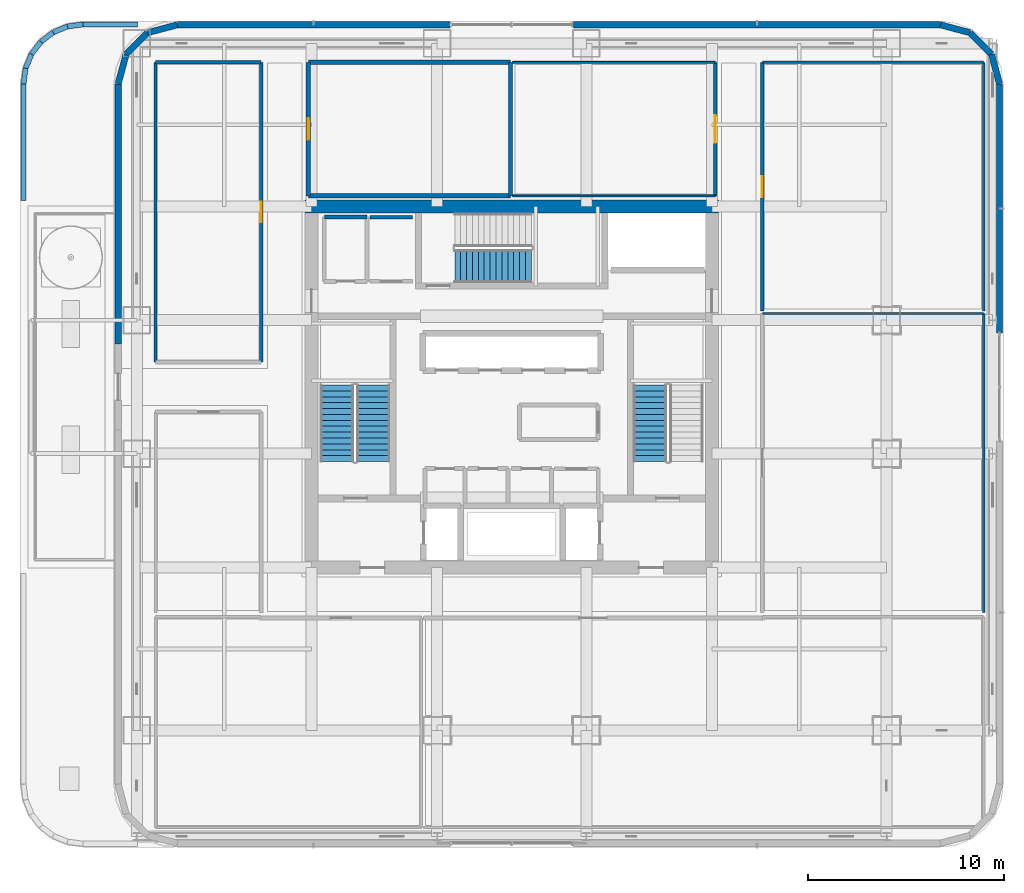
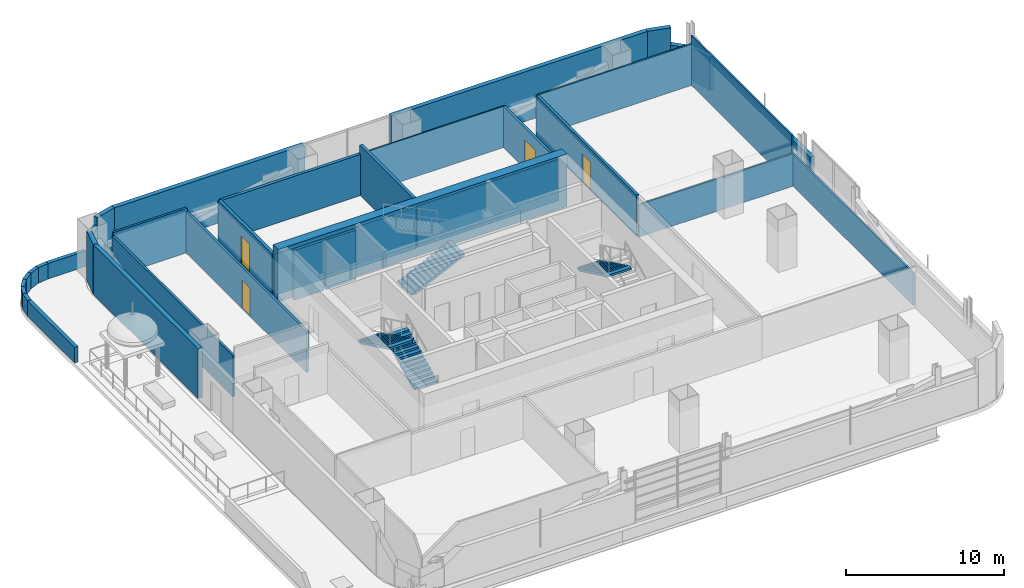
# One storey, part 13 of 27: 36 walls, 4 doors, 4 stair flights, 4 openings, 3 elements without a shape of their own.
"""IFC4 building model written with IfcOpenShell, lengths in metres."""

from ifc_helpers import new_model, si_unit, direction, frame, frame_2d, origin, place, context, subcontext, project, spatial, polyline, rectangle, outline, extrude, material, layer, layer_set, type_object, element, fill, aggregate, save


model = new_model("IFC4")

# Units and contexts
model_context = context("Model", 3, precision=1e-05, world=origin(), true_north=direction((0.0, 1.0)))
body_context = subcontext(model_context, "Body", "Model", "MODEL_VIEW")
ifc_project = project(units=[si_unit("LENGTHUNIT", "METRE"), si_unit("AREAUNIT", "SQUARE_METRE"), si_unit("VOLUMEUNIT", "CUBIC_METRE"), si_unit("PLANEANGLEUNIT", "RADIAN"), si_unit("MASSUNIT", "GRAM", prefix="KILO")], contexts=[model_context])

# Site, building, storey
site_placement = place(None, origin())
site = spatial("IfcSite", under=ifc_project, at=site_placement, CompositionType="ELEMENT")
building_placement = place(site_placement, origin())
building = spatial("IfcBuilding", under=site, at=building_placement, Name="Punatoya Terracotta Tower", CompositionType="ELEMENT")
storey_placement = place(building_placement, frame((0.0, 0.0, 204.60009765625)))
storey = spatial("IfcBuildingStorey", under=building, at=storey_placement, Name="L48", CompositionType="ELEMENT", Elevation=204.60009765625)

# Walls
ifc_material_1 = material(Name="Concrete C60/75", Category="concrete")
ifc_layer_1 = layer(ifc_material_1, 0.64990234375)
ifc_layer_set_1 = layer_set([ifc_layer_1], Name="Concrete C60/75")
wall_type_1 = type_object("IfcWallType", Name="WL-COR-650", PredefinedType="SHEAR", material=ifc_layer_set_1)
wall_1_placement = place(storey_placement, frame((-10.52490234375, 9.199951171875, 0.0), z_axis=(0.0, 0.0, 1.0), x_axis=(1.0, 0.0, 0.0)))
element("IfcWall", 1, at=wall_1_placement, inside=storey, type_object=wall_type_1, Name="L48 Core Shear Wall N", PredefinedType="SHEAR", context=body_context, shape_type="SweptSolid", body=[
    extrude(rectangle(XDim=21.0498046875, YDim=0.64990234375, at=frame_2d((10.52490234375, 0.0))), origin(), (0.0, 0.0, 1.0), 4.0498046875),
])
ifc_material_2 = material(Name="Gypsum Fireboard + Steel Stud", Category="steel")
ifc_layer_2 = layer(ifc_material_2, 0.179931640625)
ifc_layer_set_2 = layer_set([ifc_layer_2], Name="Gypsum Fireboard + Steel Stud")
wall_type_2 = type_object("IfcWallType", Name="WL-CORR-180", PredefinedType="PARTITIONING", material=ifc_layer_set_2)
wall_2_placement = place(storey_placement, frame((-5.050048828125, 8.64990234375, 0.0), z_axis=(0.0, 0.0, 1.0), x_axis=(-1.0, 0.0, 0.0)))
element("IfcWall", 2, at=wall_2_placement, inside=storey, type_object=wall_type_2, Name="L48 West Core Print Room Partition 18", PredefinedType="PARTITIONING", context=body_context, shape_type="SweptSolid", body=[
    extrude(rectangle(XDim=2.169921875, YDim=0.179931640625, at=frame_2d((1.0849609375, 0.0))), origin(), (0.0, 0.0, 1.0), 3.829833984375),
])

# Wall, opening, door
wall_3_placement = place(storey_placement, frame((-12.77001953125, 16.5400390625, 0.0), z_axis=(0.0, 0.0, 1.0), x_axis=(0.0, -1.0, 0.0)))
wall_3 = element("IfcWall", 3, at=wall_3_placement, inside=storey, type_object=wall_type_2, Name="L48 Hospitality Tea Pantry Partition 35", PredefinedType="PARTITIONING", context=body_context, shape_type="SweptSolid", body=[
    extrude(rectangle(XDim=15.27001953125, YDim=0.179931640625, at=frame_2d((7.635009765625, 0.0))), origin(), (0.0, 0.0, 1.0), 3.173828125),
])
opening_1_placement = place(wall_3_placement, frame((7.110107421875, 0.0, 0.0)))
opening_1 = element("IfcOpeningElement", 4, at=opening_1_placement, cuts=wall_3, Name="Opening OD-01", PredefinedType="OPENING", context=body_context, shape_type="SweptSolid", body=[
    extrude(rectangle(XDim=1.050048828125, YDim=2.199951171875, at=frame_2d((0.52490234375, 1.10009765625))), frame((0.0, 0.099853515625, 0.0), z_axis=(0.0, -1.0, 0.0), x_axis=(1.0, 0.0, 0.0)), (0.0, 0.0, 1.0), 0.199951171875),
])
ifc_material_3 = material(Name="Bengal Teak Solid-Core Leaf")
door_type_1 = type_object("IfcDoorType", Name="DR-OFF-1050", OperationType="NOTDEFINED", PredefinedType="DOOR", material=ifc_material_3)
door_1_placement = place(opening_1_placement, origin())
door_1 = element("IfcDoor", 5, at=door_1_placement, inside=storey, type_object=door_type_1, Name="L48 Hospitality Tea Pantry Door", OperationType="SINGLE_SWING_LEFT", OverallHeight=2.199951171875, OverallWidth=1.050048828125, PredefinedType="DOOR", context=body_context, shape_type="SweptSolid", body=[
    extrude(rectangle(XDim=1.050048828125, YDim=2.199951171875, at=frame_2d((0.52490234375, 1.10009765625))), frame((0.0, 0.02490234375, 0.0), z_axis=(0.0, -1.0, 0.0), x_axis=(1.0, 0.0, 0.0)), (0.0, 0.0, 1.0), 0.050048828125),
])
fill(opening_1, door_1)

wall_4_placement = place(storey_placement, frame((12.77001953125, 3.860107421875, 0.0), z_axis=(0.0, 0.0, 1.0), x_axis=(0.0, 1.0, 0.0)))
wall_4 = element("IfcWall", 6, at=wall_4_placement, inside=storey, type_object=wall_type_2, Name="L48 Acoustic Wellness Room Partition 41", PredefinedType="PARTITIONING", context=body_context, shape_type="SweptSolid", body=[
    extrude(rectangle(XDim=12.679931640625, YDim=0.179931640625, at=frame_2d((6.33984375, 0.0))), origin(), (0.0, 0.0, 1.0), 3.173828125),
])
opening_2_placement = place(wall_4_placement, frame((5.81494140625, 0.0, 0.0)))
opening_2 = element("IfcOpeningElement", 7, at=opening_2_placement, cuts=wall_4, Name="Opening OD-01", PredefinedType="OPENING", context=body_context, shape_type="SweptSolid", body=[
    extrude(rectangle(XDim=1.050048828125, YDim=2.199951171875, at=frame_2d((0.52490234375, 1.10009765625))), frame((0.0, 0.099853515625, 0.0), z_axis=(0.0, -1.0, 0.0), x_axis=(1.0, 0.0, 0.0)), (0.0, 0.0, 1.0), 0.199951171875),
])
door_2_placement = place(opening_2_placement, origin())
door_2 = element("IfcDoor", 8, at=door_2_placement, inside=storey, type_object=door_type_1, Name="L48 Acoustic Wellness Room Door", OperationType="SINGLE_SWING_RIGHT", OverallHeight=2.199951171875, OverallWidth=1.050048828125, PredefinedType="DOOR", context=body_context, shape_type="SweptSolid", body=[
    extrude(rectangle(XDim=1.050048828125, YDim=2.199951171875, at=frame_2d((0.52490234375, 1.10009765625))), frame((0.0, 0.02490234375, 0.0), z_axis=(0.0, -1.0, 0.0), x_axis=(1.0, 0.0, 0.0)), (0.0, 0.0, 1.0), 0.050048828125),
])
fill(opening_2, door_2)

wall_5_placement = place(storey_placement, frame((10.360107421875, 16.5400390625, 0.0), z_axis=(0.0, 0.0, 1.0), x_axis=(0.0, -1.0, 0.0)))
wall_5 = element("IfcWall", 9, at=wall_5_placement, inside=storey, type_object=wall_type_2, Name="L48 Editorial Conference Room Partition 48", PredefinedType="PARTITIONING", context=body_context, shape_type="SweptSolid", body=[
    extrude(rectangle(XDim=6.800048828125, YDim=0.179931640625, at=frame_2d((3.39990234375, 0.0))), origin(), (0.0, 0.0, 1.0), 3.173828125),
])
opening_3_placement = place(wall_5_placement, frame((2.699951171875, 0.0, 0.0)))
opening_3 = element("IfcOpeningElement", 10, at=opening_3_placement, cuts=wall_5, Name="Opening BD-01", PredefinedType="OPENING", context=body_context, shape_type="SweptSolid", body=[
    extrude(rectangle(XDim=1.39990234375, YDim=2.25, at=frame_2d((0.699951171875, 1.125))), frame((0.0, 0.099853515625, 0.0), z_axis=(0.0, -1.0, 0.0), x_axis=(1.0, 0.0, 0.0)), (0.0, 0.0, 1.0), 0.199951171875),
])
ifc_material_4 = material(Name="Bengal Teak Acoustic Leaf")
door_type_2 = type_object("IfcDoorType", Name="DR-BRD-1400", OperationType="NOTDEFINED", PredefinedType="DOOR", material=ifc_material_4)
door_3_placement = place(opening_3_placement, origin())
door_3 = element("IfcDoor", 11, at=door_3_placement, inside=storey, type_object=door_type_2, Name="L48 Editorial Conference Room Door", OperationType="SINGLE_SWING_RIGHT", OverallHeight=2.25, OverallWidth=1.39990234375, PredefinedType="DOOR", context=body_context, shape_type="SweptSolid", body=[
    extrude(rectangle(XDim=1.39990234375, YDim=2.25, at=frame_2d((0.699951171875, 1.125))), frame((0.0, 0.02490234375, 0.0), z_axis=(0.0, -1.0, 0.0), x_axis=(1.0, 0.0, 0.0)), (0.0, 0.0, 1.0), 0.050048828125),
])
fill(opening_3, door_3)

# Walls
ifc_material_5 = material(Name="Precast concrete C40/50", Category="concrete")
ifc_layer_3 = layer(ifc_material_5, 0.320068359375)
ifc_layer_set_3 = layer_set([ifc_layer_3], Name="Precast concrete C40/50")
wall_type_3 = type_object("IfcWallType", Name="WL-EXT-320", PredefinedType="SOLIDWALL", material=ifc_layer_set_3)
wall_6_placement = place(storey_placement, frame((24.85009765625, 2.75, 0.0), z_axis=(0.0, 0.0, 1.0), x_axis=(0.0, 1.0, 0.0)))
element("IfcWall", 12, at=wall_6_placement, inside=storey, type_object=wall_type_3, Name="L48 Terracotta Braced Facade Wall E2", PredefinedType="SOLIDWALL", context=body_context, shape_type="SweptSolid", body=[
    extrude(rectangle(XDim=12.68701171875, YDim=0.320068359375, at=frame_2d((6.343505859375, 0.0))), origin(), (0.0, 0.0, 1.0), 2.5439453125),
])
wall_7_placement = place(storey_placement, frame((24.85009765625, 15.43701171875, 0.0), z_axis=(0.0, 0.0, 1.0), x_axis=(-0.257847112249, 0.966185730957, 0.0)))
element("IfcWall", 13, at=wall_7_placement, inside=storey, type_object=wall_type_3, Name="L48 Rounded Terracotta Corner Pier 06", PredefinedType="SOLIDWALL", context=body_context, shape_type="SweptSolid", body=[
    extrude(rectangle(XDim=1.565185546875, YDim=0.320068359375, at=frame_2d((0.78271484375, 0.0))), origin(), (0.0, 0.0, 1.0), 2.5439453125),
])
wall_8_placement = place(storey_placement, frame((24.446533203125, 16.94921875, 0.0), z_axis=(0.0, 0.0, 1.0), x_axis=(-0.707106781187, 0.707106781187, 0.0)))
element("IfcWall", 14, at=wall_8_placement, inside=storey, type_object=wall_type_3, Name="L48 Rounded Terracotta Corner Pier 07", PredefinedType="SOLIDWALL", context=body_context, shape_type="SweptSolid", body=[
    extrude(rectangle(XDim=1.552001953125, YDim=0.320068359375, at=frame_2d((0.77587890625, 0.0))), origin(), (0.0, 0.0, 1.0), 2.50390625),
])
wall_9_placement = place(storey_placement, frame((23.34912109375, 18.046630859375, 0.0), z_axis=(0.0, 0.0, 1.0), x_axis=(-0.966224582397, 0.257701486942, 0.0)))
element("IfcWall", 15, at=wall_9_placement, inside=storey, type_object=wall_type_3, Name="L48 Rounded Terracotta Corner Pier 08", PredefinedType="SOLIDWALL", context=body_context, shape_type="SweptSolid", body=[
    extrude(rectangle(XDim=1.565185546875, YDim=0.320068359375, at=frame_2d((0.78271484375, 0.0))), origin(), (0.0, 0.0, 1.0), 3.829833984375),
])
wall_10_placement = place(storey_placement, frame((21.8369140625, 18.449951171875, 0.0), z_axis=(0.0, 0.0, 1.0), x_axis=(-1.0, 0.0, 0.0)))
element("IfcWall", 16, at=wall_10_placement, inside=storey, type_object=wall_type_3, Name="L48 Terracotta Braced Facade Wall N1", PredefinedType="SOLIDWALL", context=body_context, shape_type="SweptSolid", body=[
    extrude(rectangle(XDim=18.68701171875, YDim=0.320068359375, at=frame_2d((9.343505859375, 0.0))), origin(), (0.0, 0.0, 1.0), 3.829833984375),
])
wall_11_placement = place(storey_placement, frame((-3.14990234375, 18.449951171875, 0.0), z_axis=(0.0, 0.0, 1.0), x_axis=(-1.0, 0.0, 0.0)))
element("IfcWall", 17, at=wall_11_placement, inside=storey, type_object=wall_type_3, Name="L48 Terracotta Braced Facade Wall N2", PredefinedType="SOLIDWALL", context=body_context, shape_type="SweptSolid", body=[
    extrude(rectangle(XDim=13.886962890625, YDim=0.320068359375, at=frame_2d((6.943359375, 0.0))), origin(), (0.0, 0.0, 1.0), 3.829833984375),
])
wall_12_placement = place(storey_placement, frame((-17.036865234375, 18.449951171875, 0.0), z_axis=(0.0, 0.0, 1.0), x_axis=(-0.966224582397, -0.257701486942, 0.0)))
element("IfcWall", 18, at=wall_12_placement, inside=storey, type_object=wall_type_3, Name="L48 Rounded Terracotta Corner Pier 10", PredefinedType="SOLIDWALL", context=body_context, shape_type="SweptSolid", body=[
    extrude(rectangle(XDim=1.565185546875, YDim=0.320068359375, at=frame_2d((0.78271484375, 0.0))), origin(), (0.0, 0.0, 1.0), 3.829833984375),
])
wall_13_placement = place(storey_placement, frame((-18.549072265625, 18.046630859375, 0.0), z_axis=(0.0, 0.0, 1.0), x_axis=(-0.707106781187, -0.707106781187, 0.0)))
element("IfcWall", 19, at=wall_13_placement, inside=storey, type_object=wall_type_3, Name="L48 Rounded Terracotta Corner Pier 11", PredefinedType="SOLIDWALL", context=body_context, shape_type="SweptSolid", body=[
    extrude(rectangle(XDim=1.552001953125, YDim=0.320068359375, at=frame_2d((0.77587890625, 0.0))), origin(), (0.0, 0.0, 1.0), 3.173828125),
])
wall_14_placement = place(storey_placement, frame((-19.646484375, 16.94921875, 0.0), z_axis=(0.0, 0.0, 1.0), x_axis=(-0.257847112249, -0.966185730957, 0.0)))
element("IfcWall", 20, at=wall_14_placement, inside=storey, type_object=wall_type_3, Name="L48 Rounded Terracotta Corner Pier 12", PredefinedType="SOLIDWALL", context=body_context, shape_type="SweptSolid", body=[
    extrude(rectangle(XDim=1.565185546875, YDim=0.320068359375, at=frame_2d((0.78271484375, 0.0))), origin(), (0.0, 0.0, 1.0), 3.829833984375),
])
wall_15_placement = place(storey_placement, frame((-20.050048828125, 15.43701171875, 0.0), z_axis=(0.0, 0.0, 1.0), x_axis=(0.0, -1.0, 0.0)))
element("IfcWall", 21, at=wall_15_placement, inside=storey, type_object=wall_type_3, Name="L48 Terracotta Braced Facade Wall W", PredefinedType="SOLIDWALL", context=body_context, shape_type="SweptSolid", body=[
    extrude(rectangle(XDim=13.237060546875, YDim=0.320068359375, at=frame_2d((6.61865234375, 0.0))), origin(), (0.0, 0.0, 1.0), 3.829833984375),
])
ifc_material_6 = material(Name="Concrete C40/50", Category="concrete")
ifc_layer_4 = layer(ifc_material_6, 0.219970703125)
ifc_layer_set_4 = layer_set([ifc_layer_4], Name="Concrete C40/50")
wall_type_4 = type_object("IfcWallType", Name="WL-FIR-220", PredefinedType="SOLIDWALL", material=ifc_layer_set_4)
wall_16_placement = place(storey_placement, frame((-10.360107421875, 16.5400390625, 0.0), z_axis=(0.0, 0.0, 1.0), x_axis=(1.0, 0.0, 0.0)))
element("IfcWall", 22, at=wall_16_placement, inside=storey, type_object=wall_type_4, Name="L48 Model-Making Archive Partition 42", PredefinedType="SOLIDWALL", context=body_context, shape_type="SweptSolid", body=[
    extrude(rectangle(XDim=10.300048828125, YDim=0.219970703125, at=frame_2d((5.14990234375, 0.0))), origin(), (0.0, 0.0, 1.0), 3.173828125),
])
wall_17_placement = place(storey_placement, frame((-0.06005859375, 16.5400390625, 0.0), z_axis=(0.0, 0.0, 1.0), x_axis=(0.0, -1.0, 0.0)))
element("IfcWall", 23, at=wall_17_placement, inside=storey, type_object=wall_type_4, Name="L48 Model-Making Archive Partition 43", PredefinedType="SOLIDWALL", context=body_context, shape_type="SweptSolid", body=[
    extrude(rectangle(XDim=6.800048828125, YDim=0.219970703125, at=frame_2d((3.39990234375, 0.0))), origin(), (0.0, 0.0, 1.0), 3.829833984375),
])
wall_18_placement = place(storey_placement, frame((-0.06005859375, 9.739990234375, 0.0), z_axis=(0.0, 0.0, 1.0), x_axis=(-1.0, 0.0, 0.0)))
element("IfcWall", 24, at=wall_18_placement, inside=storey, type_object=wall_type_4, Name="L48 Model-Making Archive Partition 44", PredefinedType="SOLIDWALL", context=body_context, shape_type="SweptSolid", body=[
    extrude(rectangle(XDim=10.300048828125, YDim=0.219970703125, at=frame_2d((5.14990234375, 0.0))), origin(), (0.0, 0.0, 1.0), 3.173828125),
])

# Wall, opening, door
wall_19_placement = place(storey_placement, frame((-10.360107421875, 9.739990234375, 0.0), z_axis=(0.0, 0.0, 1.0), x_axis=(0.0, 1.0, 0.0)))
wall_19 = element("IfcWall", 25, at=wall_19_placement, inside=storey, type_object=wall_type_4, Name="L48 Model-Making Archive Partition 45", PredefinedType="SOLIDWALL", context=body_context, shape_type="SweptSolid", body=[
    extrude(rectangle(XDim=6.800048828125, YDim=0.219970703125, at=frame_2d((3.39990234375, 0.0))), origin(), (0.0, 0.0, 1.0), 3.173828125),
])
opening_4_placement = place(wall_19_placement, frame((2.85009765625, 0.0, 0.0)))
opening_4 = element("IfcOpeningElement", 26, at=opening_4_placement, cuts=wall_19, Name="Opening FD-P1", PredefinedType="OPENING", context=body_context, shape_type="SweptSolid", body=[
    extrude(rectangle(XDim=1.10009765625, YDim=2.199951171875, at=frame_2d((0.550048828125, 1.10009765625))), frame((0.0, 0.119873046875, 0.0), z_axis=(0.0, -1.0, 0.0), x_axis=(1.0, 0.0, 0.0)), (0.0, 0.0, 1.0), 0.239990234375),
])
ifc_material_7 = material(Name="Galvanised Steel Plant Fire Door", Category="steel")
door_type_3 = type_object("IfcDoorType", Name="DR-PLT-1100", OperationType="NOTDEFINED", PredefinedType="DOOR", material=ifc_material_7)
door_4_placement = place(opening_4_placement, origin())
door_4 = element("IfcDoor", 27, at=door_4_placement, inside=storey, type_object=door_type_3, Name="L48 Model-Making Archive Fire Door", OperationType="SINGLE_SWING_LEFT", OverallHeight=2.199951171875, OverallWidth=1.10009765625, PredefinedType="DOOR", context=body_context, shape_type="SweptSolid", body=[
    extrude(rectangle(XDim=1.10009765625, YDim=2.199951171875, at=frame_2d((0.550048828125, 1.10009765625))), frame((0.0, 0.02490234375, 0.0), z_axis=(0.0, -1.0, 0.0), x_axis=(1.0, 0.0, 0.0)), (0.0, 0.0, 1.0), 0.050048828125),
])
fill(opening_4, door_4)

# Walls
ifc_material_8 = material(Name="Aluminium Framed Acoustic Glass Partition", Category="aluminium")
ifc_layer_5 = layer(ifc_material_8, 0.10009765625)
ifc_layer_set_5 = layer_set([ifc_layer_5], Name="Aluminium Framed Acoustic Glass Partition")
wall_type_5 = type_object("IfcWallType", Name="WL-GLZ-100", PredefinedType="PARTITIONING", material=ifc_layer_set_5)
for number, where, z_axis, x_axis, name in (
    (28, (10.360107421875, 9.739990234375, 0.0), (0.0, 0.0, 1.0), (-1.0, 0.0, 0.0), "L48 Editorial Conference Room Partition 46"),
    (29, (0.06005859375, 16.5400390625, 0.0), (0.0, 0.0, 1.0), (1.0, 0.0, 0.0), "L48 Editorial Conference Room Partition 47"),
):
    element("IfcWall", number, at=place(storey_placement, frame(where, z_axis=z_axis, x_axis=x_axis)), inside=storey, type_object=wall_type_5, Name=name, PredefinedType="PARTITIONING", context=body_context, shape_type="SweptSolid", body=[
        extrude(rectangle(XDim=10.300048828125, YDim=0.10009765625, at=frame_2d((5.14990234375, 0.0))), origin(), (0.0, 0.0, 1.0), 3.173828125),
    ])
ifc_layer_6 = layer(ifc_material_6, 0.199951171875)
ifc_layer_set_6 = layer_set([ifc_layer_6], Name="Concrete C40/50")
wall_type_6 = type_object("IfcWallType", Name="WL-INT-200", PredefinedType="SOLIDWALL", material=ifc_layer_set_6)
wall_20_placement = place(storey_placement, frame((-7.3798828125, 8.64990234375, 0.0), z_axis=(0.0, 0.0, 1.0), x_axis=(-1.0, 0.0, 0.0)))
element("IfcWall", 30, at=wall_20_placement, inside=storey, type_object=wall_type_6, Name="L48 West Core Archive Vault Partition 15", PredefinedType="SOLIDWALL", context=body_context, shape_type="SweptSolid", body=[
    extrude(rectangle(XDim=2.170166015625, YDim=0.199951171875, at=frame_2d((1.0849609375, 0.0))), origin(), (0.0, 0.0, 1.0), 3.829833984375),
])
ifc_material_9 = material(Name="Gypsum Partition + Steel Stud", Category="steel")
ifc_layer_7 = layer(ifc_material_9, 0.1201171875)
ifc_layer_set_7 = layer_set([ifc_layer_7], Name="Gypsum Partition + Steel Stud")
wall_type_7 = type_object("IfcWallType", Name="WL-OFF-120", PredefinedType="PARTITIONING", material=ifc_layer_set_7)
wall_21_placement = place(storey_placement, frame((12.77001953125, 3.739990234375, 0.0), z_axis=(0.0, 0.0, 1.0), x_axis=(1.0, 0.0, 0.0)))
element("IfcWall", 31, at=wall_21_placement, inside=storey, type_object=wall_type_7, Name="L48 Press Briefing Room Partition 32", PredefinedType="PARTITIONING", context=body_context, shape_type="SweptSolid", body=[
    extrude(rectangle(XDim=11.27001953125, YDim=0.1201171875, at=frame_2d((5.635009765625, 0.0))), origin(), (0.0, 0.0, 1.0), 2.50390625),
])
wall_22_placement = place(storey_placement, frame((24.0400390625, 3.739990234375, 0.0), z_axis=(0.0, 0.0, 1.0), x_axis=(0.0, -1.0, 0.0)))
element("IfcWall", 32, at=wall_22_placement, inside=storey, type_object=wall_type_7, Name="L48 Press Briefing Room Partition 33", PredefinedType="PARTITIONING", context=body_context, shape_type="SweptSolid", body=[
    extrude(rectangle(XDim=15.22998046875, YDim=0.1201171875, at=frame_2d((7.614990234375, 0.0))), origin(), (0.0, 0.0, 1.0), 2.50390625),
])
wall_23_placement = place(storey_placement, frame((12.77001953125, 16.5400390625, 0.0), z_axis=(0.0, 0.0, 1.0), x_axis=(1.0, 0.0, 0.0)))
element("IfcWall", 33, at=wall_23_placement, inside=storey, type_object=wall_type_7, Name="L48 Acoustic Wellness Room Partition 39", PredefinedType="PARTITIONING", context=body_context, shape_type="SweptSolid", body=[
    extrude(rectangle(XDim=11.27001953125, YDim=0.1201171875, at=frame_2d((5.635009765625, 0.0))), origin(), (0.0, 0.0, 1.0), 3.173828125),
])
wall_24_placement = place(storey_placement, frame((24.0400390625, 16.5400390625, 0.0), z_axis=(0.0, 0.0, 1.0), x_axis=(0.0, -1.0, 0.0)))
element("IfcWall", 34, at=wall_24_placement, inside=storey, type_object=wall_type_7, Name="L48 Acoustic Wellness Room Partition 40", PredefinedType="PARTITIONING", context=body_context, shape_type="SweptSolid", body=[
    extrude(rectangle(XDim=12.679931640625, YDim=0.1201171875, at=frame_2d((6.33984375, 0.0))), origin(), (0.0, 0.0, 1.0), 3.829833984375),
])
ifc_layer_8 = layer(ifc_material_5, 0.260009765625)
ifc_layer_set_8 = layer_set([ifc_layer_8], Name="Precast concrete C40/50")
wall_type_8 = type_object("IfcWallType", Name="WL-PAR-260", PredefinedType="PARAPET", material=ifc_layer_set_8)
wall_25_placement = place(storey_placement, frame((-19.065185546875, 18.469970703125, 0.0), z_axis=(0.0, 0.0, 1.0), x_axis=(-1.0, 0.0, 0.0)))
element("IfcWall", 35, at=wall_25_placement, inside=storey, type_object=wall_type_8, Name="L48 Roof Parapet Wall PAR-L48-RF-01", PredefinedType="PARAPET", context=body_context, shape_type="SweptSolid", body=[
    extrude(rectangle(XDim=2.77294921875, YDim=0.260009765625, at=frame_2d((1.386474609375, 0.0))), origin(), (0.0, 0.0, 1.0), 1.199951171875),
])
wall_26_placement = place(storey_placement, frame((-21.838134765625, 18.469970703125, 0.0), z_axis=(0.0, 0.0, 1.0), x_axis=(-0.991429342672, -0.130644014367, 0.0)))
element("IfcWall", 36, at=wall_26_placement, inside=storey, type_object=wall_type_8, Name="L48 Roof Parapet Wall PAR-L48-RF-02", PredefinedType="PARAPET", context=body_context, shape_type="SweptSolid", body=[
    extrude(rectangle(XDim=0.7998046875, YDim=0.260009765625, at=frame_2d((0.39990234375, 0.0))), origin(), (0.0, 0.0, 1.0), 1.199951171875),
])
wall_27_placement = place(storey_placement, frame((-22.631103515625, 18.365478515625, 0.0), z_axis=(0.0, 0.0, 1.0), x_axis=(-0.924009282298, -0.382370038349, 0.0)))
element("IfcWall", 37, at=wall_27_placement, inside=storey, type_object=wall_type_8, Name="L48 Roof Parapet Wall PAR-L48-RF-03", PredefinedType="PARAPET", context=body_context, shape_type="SweptSolid", body=[
    extrude(rectangle(XDim=0.787841796875, YDim=0.260009765625, at=frame_2d((0.39404296875, 0.0))), origin(), (0.0, 0.0, 1.0), 1.199951171875),
])
wall_28_placement = place(storey_placement, frame((-23.359130859375, 18.064208984375, 0.0), z_axis=(0.0, 0.0, 1.0), x_axis=(-0.793222344381, -0.608932108182, 0.0)))
element("IfcWall", 38, at=wall_28_placement, inside=storey, type_object=wall_type_8, Name="L48 Roof Parapet Wall PAR-L48-RF-04", PredefinedType="PARAPET", context=body_context, shape_type="SweptSolid", body=[
    extrude(rectangle(XDim=0.788330078125, YDim=0.260009765625, at=frame_2d((0.39404296875, 0.0))), origin(), (0.0, 0.0, 1.0), 1.199951171875),
])
wall_29_placement = place(storey_placement, frame((-23.984375, 17.584228515625, 0.0), z_axis=(0.0, 0.0, 1.0), x_axis=(-0.608886809997, -0.793257116332, 0.0)))
element("IfcWall", 39, at=wall_29_placement, inside=storey, type_object=wall_type_8, Name="L48 Roof Parapet Wall PAR-L48-RF-05", PredefinedType="PARAPET", context=body_context, shape_type="SweptSolid", body=[
    extrude(rectangle(XDim=0.787841796875, YDim=0.260009765625, at=frame_2d((0.39404296875, 0.0))), origin(), (0.0, 0.0, 1.0), 1.199951171875),
])
wall_30_placement = place(storey_placement, frame((-24.464111328125, 16.959228515625, 0.0), z_axis=(0.0, 0.0, 1.0), x_axis=(-0.38263454961, -0.923899778896, 0.0)))
element("IfcWall", 40, at=wall_30_placement, inside=storey, type_object=wall_type_8, Name="L48 Roof Parapet Wall PAR-L48-RF-06", PredefinedType="PARAPET", context=body_context, shape_type="SweptSolid", body=[
    extrude(rectangle(XDim=0.7880859375, YDim=0.260009765625, at=frame_2d((0.39404296875, 0.0))), origin(), (0.0, 0.0, 1.0), 1.199951171875),
])
wall_31_placement = place(storey_placement, frame((-24.765625, 16.231201171875, 0.0), z_axis=(0.0, 0.0, 1.0), x_axis=(-0.130644014367, -0.991429342672, 0.0)))
element("IfcWall", 41, at=wall_31_placement, inside=storey, type_object=wall_type_8, Name="L48 Roof Parapet Wall PAR-L48-RF-07", PredefinedType="PARAPET", context=body_context, shape_type="SweptSolid", body=[
    extrude(rectangle(XDim=0.7998046875, YDim=0.260009765625, at=frame_2d((0.39990234375, 0.0))), origin(), (0.0, 0.0, 1.0), 1.199951171875),
])
wall_32_placement = place(storey_placement, frame((-24.8701171875, 15.438232421875, 0.0), z_axis=(0.0, 0.0, 1.0), x_axis=(0.0, -1.0, 0.0)))
element("IfcWall", 42, at=wall_32_placement, inside=storey, type_object=wall_type_8, Name="L48 Roof Parapet Wall PAR-L48-RF-08", PredefinedType="PARAPET", context=body_context, shape_type="SweptSolid", body=[
    extrude(rectangle(XDim=5.938232421875, YDim=0.260009765625, at=frame_2d((2.96923828125, 0.0))), origin(), (0.0, 0.0, 1.0), 1.199951171875),
])
ifc_material_10 = material(Name="Masonry Blockwork + Ceramic Tile", Category="masonry")
ifc_layer_9 = layer(ifc_material_10, 0.159912109375)
ifc_layer_set_9 = layer_set([ifc_layer_9], Name="Masonry Blockwork + Ceramic Tile")
wall_type_9 = type_object("IfcWallType", Name="WL-WET-160", PredefinedType="PARTITIONING", material=ifc_layer_set_9)
wall_33_placement = place(storey_placement, frame((-18.139892578125, 1.27001953125, 0.0), z_axis=(0.0, 0.0, 1.0), x_axis=(0.0, 1.0, 0.0)))
element("IfcWall", 43, at=wall_33_placement, inside=storey, type_object=wall_type_9, Name="L48 Hospitality Tea Pantry Partition 37", PredefinedType="PARTITIONING", context=body_context, shape_type="SweptSolid", body=[
    extrude(rectangle(XDim=15.27001953125, YDim=0.159912109375, at=frame_2d((7.635009765625, 0.0))), origin(), (0.0, 0.0, 1.0), 3.173828125),
])
wall_34_placement = place(storey_placement, frame((-18.139892578125, 16.5400390625, 0.0), z_axis=(0.0, 0.0, 1.0), x_axis=(1.0, 0.0, 0.0)))
element("IfcWall", 44, at=wall_34_placement, inside=storey, type_object=wall_type_9, Name="L48 Hospitality Tea Pantry Partition 38", PredefinedType="PARTITIONING", context=body_context, shape_type="SweptSolid", body=[
    extrude(rectangle(XDim=5.369873046875, YDim=0.159912109375, at=frame_2d((2.68505859375, 0.0))), origin(), (0.0, 0.0, 1.0), 3.423828125),
])

# Stair, stair flights
stair_type_1 = type_object("IfcStairType", Name="STR-CORE-1550", PredefinedType="HALF_TURN_STAIR", material=ifc_material_6)
stair_1_placement = place(storey_placement, origin())
stair_1 = element("IfcStair", 45, at=stair_1_placement, inside=storey, type_object=stair_type_1, Name="L48 Protected Core Exit Stair ST-1", PredefinedType="HALF_TURN_STAIR")
stair_flight_type_1 = type_object("IfcStairFlightType", Name="SFL-CORE-1550", PredefinedType="STRAIGHT", material=ifc_material_6)
stair_flight_1_placement = place(storey_placement, frame((-7.050048828125, -3.800048828125, 0.0), z_axis=(0.0, 0.0, 1.0), x_axis=(0.0, 1.0, 0.0)))
stair_flight_1 = element("IfcStairFlight", 46, at=stair_flight_1_placement, type_object=stair_flight_type_1, Name="ST-1 flight 1", NumberOfRisers=14, NumberOfTreads=13, PredefinedType="STRAIGHT", RiserHeight=0.144642857, TreadLength=0.3, context=body_context, shape_type="SweptSolid", body=[
    extrude(outline(polyline([(0.0, 0.0), (0.0, 0.14453125), (0.300048828125, 0.14453125), (0.300048828125, 0.289306640625), (0.60009765625, 0.289306640625), (0.60009765625, 0.433837890625), (0.89990234375, 0.433837890625), (0.89990234375, 0.57861328125), (1.199951171875, 0.57861328125), (1.199951171875, 0.72314453125), (1.5, 0.72314453125), (1.5, 0.867919921875), (1.800048828125, 0.867919921875), (1.800048828125, 1.012451171875), (2.10009765625, 1.012451171875), (2.10009765625, 1.1572265625), (2.39990234375, 1.1572265625), (2.39990234375, 1.3017578125), (2.699951171875, 1.3017578125), (2.699951171875, 1.446533203125), (3.0, 1.446533203125), (3.0, 1.591064453125), (3.300048828125, 1.591064453125), (3.300048828125, 1.735595703125), (3.60009765625, 1.735595703125), (3.60009765625, 1.88037109375), (3.89990234375, 1.88037109375), (3.89990234375, 2.02490234375), (3.89990234375, 1.7138671875), (0.34521484375, 0.0), (0.0, 0.0)])), frame((0.0, 0.85009765625, 0.0), z_axis=(0.0, -1.0, 0.0), x_axis=(1.0, 0.0, 0.0)), (0.0, 0.0, 1.0), 1.699951171875),
])
stair_flight_2_placement = place(storey_placement, frame((-8.89990234375, 0.10009765625, 2.02490234375), z_axis=(0.0, 0.0, 1.0), x_axis=(0.0, -1.0, 0.0)))
stair_flight_2 = element("IfcStairFlight", 47, at=stair_flight_2_placement, type_object=stair_flight_type_1, Name="ST-1 flight 2", NumberOfRisers=14, NumberOfTreads=13, PredefinedType="STRAIGHT", RiserHeight=0.144642857, TreadLength=0.3, context=body_context, shape_type="SweptSolid", body=[
    extrude(outline(polyline([(0.0, 0.0), (0.0, 0.14453125), (0.300048828125, 0.14453125), (0.300048828125, 0.289306640625), (0.60009765625, 0.289306640625), (0.60009765625, 0.433837890625), (0.89990234375, 0.433837890625), (0.89990234375, 0.57861328125), (1.199951171875, 0.57861328125), (1.199951171875, 0.72314453125), (1.5, 0.72314453125), (1.5, 0.867919921875), (1.800048828125, 0.867919921875), (1.800048828125, 1.012451171875), (2.10009765625, 1.012451171875), (2.10009765625, 1.1572265625), (2.39990234375, 1.1572265625), (2.39990234375, 1.3017578125), (2.699951171875, 1.3017578125), (2.699951171875, 1.446533203125), (3.0, 1.446533203125), (3.0, 1.591064453125), (3.300048828125, 1.591064453125), (3.300048828125, 1.735595703125), (3.60009765625, 1.735595703125), (3.60009765625, 1.88037109375), (3.89990234375, 1.88037109375), (3.89990234375, 2.02490234375), (3.89990234375, 1.7138671875), (0.34521484375, 0.0), (0.0, 0.0)])), frame((0.0, 0.85009765625, 0.0), z_axis=(0.0, -1.0, 0.0), x_axis=(1.0, 0.0, 0.0)), (0.0, 0.0, 1.0), 1.699951171875),
])
aggregate(stair_1, [stair_flight_1, stair_flight_2])

# Stair, stair flight
stair_type_2 = type_object("IfcStairType", Name="STR-LOB-1650", PredefinedType="HALF_TURN_STAIR", material=ifc_material_6)
stair_2_placement = place(storey_placement, origin())
stair_2 = element("IfcStair", 48, at=stair_2_placement, inside=storey, type_object=stair_type_2, Name="L48 Protected Core Exit Stair ST-2", PredefinedType="HALF_TURN_STAIR")
stair_flight_type_2 = type_object("IfcStairFlightType", Name="SFL-LOB-1650", PredefinedType="STRAIGHT", material=ifc_material_6)
stair_flight_3_placement = place(storey_placement, frame((7.050048828125, 0.10009765625, 2.02490234375), z_axis=(0.0, 0.0, 1.0), x_axis=(0.0, -1.0, 0.0)))
stair_flight_3 = element("IfcStairFlight", 49, at=stair_flight_3_placement, type_object=stair_flight_type_2, Name="ST-2 flight 2", NumberOfRisers=14, NumberOfTreads=13, PredefinedType="STRAIGHT", RiserHeight=0.144642857, TreadLength=0.3, context=body_context, shape_type="SweptSolid", body=[
    extrude(outline(polyline([(0.0, 0.0), (0.0, 0.14453125), (0.300048828125, 0.14453125), (0.300048828125, 0.289306640625), (0.60009765625, 0.289306640625), (0.60009765625, 0.433837890625), (0.89990234375, 0.433837890625), (0.89990234375, 0.57861328125), (1.199951171875, 0.57861328125), (1.199951171875, 0.72314453125), (1.5, 0.72314453125), (1.5, 0.867919921875), (1.800048828125, 0.867919921875), (1.800048828125, 1.012451171875), (2.10009765625, 1.012451171875), (2.10009765625, 1.1572265625), (2.39990234375, 1.1572265625), (2.39990234375, 1.3017578125), (2.699951171875, 1.3017578125), (2.699951171875, 1.446533203125), (3.0, 1.446533203125), (3.0, 1.591064453125), (3.300048828125, 1.591064453125), (3.300048828125, 1.735595703125), (3.60009765625, 1.735595703125), (3.60009765625, 1.88037109375), (3.89990234375, 1.88037109375), (3.89990234375, 2.02490234375), (3.89990234375, 1.7138671875), (0.34521484375, 0.0), (0.0, 0.0)])), frame((0.0, 0.85009765625, 0.0), z_axis=(0.0, -1.0, 0.0), x_axis=(1.0, 0.0, 0.0)), (0.0, 0.0, 1.0), 1.699951171875),
])
aggregate(stair_2, [stair_flight_3])

stair_type_3 = type_object("IfcStairType", Name="STR-TER-1450", PredefinedType="HALF_TURN_STAIR", material=ifc_material_6)
stair_3_placement = place(storey_placement, origin())
stair_3 = element("IfcStair", 50, at=stair_3_placement, inside=storey, type_object=stair_type_3, Name="L48 Protected Core Exit Stair ST-3", PredefinedType="HALF_TURN_STAIR")
stair_flight_type_3 = type_object("IfcStairFlightType", Name="SFL-TER-1450", PredefinedType="STRAIGHT", material=ifc_material_6)
stair_flight_4_placement = place(storey_placement, frame((-2.89990234375, 6.14990234375, 0.0), z_axis=(0.0, 0.0, 1.0), x_axis=(1.0, 0.0, 0.0)))
stair_flight_4 = element("IfcStairFlight", 51, at=stair_flight_4_placement, type_object=stair_flight_type_3, Name="ST-3 flight 1", NumberOfRisers=14, NumberOfTreads=13, PredefinedType="STRAIGHT", RiserHeight=0.144642857, TreadLength=0.3, context=body_context, shape_type="SweptSolid", body=[
    extrude(outline(polyline([(0.0, 0.0), (0.0, 0.14453125), (0.300048828125, 0.14453125), (0.300048828125, 0.289306640625), (0.60009765625, 0.289306640625), (0.60009765625, 0.433837890625), (0.89990234375, 0.433837890625), (0.89990234375, 0.57861328125), (1.199951171875, 0.57861328125), (1.199951171875, 0.72314453125), (1.5, 0.72314453125), (1.5, 0.867919921875), (1.800048828125, 0.867919921875), (1.800048828125, 1.012451171875), (2.10009765625, 1.012451171875), (2.10009765625, 1.1572265625), (2.39990234375, 1.1572265625), (2.39990234375, 1.3017578125), (2.699951171875, 1.3017578125), (2.699951171875, 1.446533203125), (3.0, 1.446533203125), (3.0, 1.591064453125), (3.300048828125, 1.591064453125), (3.300048828125, 1.735595703125), (3.60009765625, 1.735595703125), (3.60009765625, 1.88037109375), (3.89990234375, 1.88037109375), (3.89990234375, 2.02490234375), (3.89990234375, 1.7138671875), (0.34521484375, 0.0), (0.0, 0.0)])), frame((0.0, 0.85009765625, 0.0), z_axis=(0.0, -1.0, 0.0), x_axis=(1.0, 0.0, 0.0)), (0.0, 0.0, 1.0), 1.699951171875),
])
aggregate(stair_3, [stair_flight_4])

save(model, "model.ifc")
